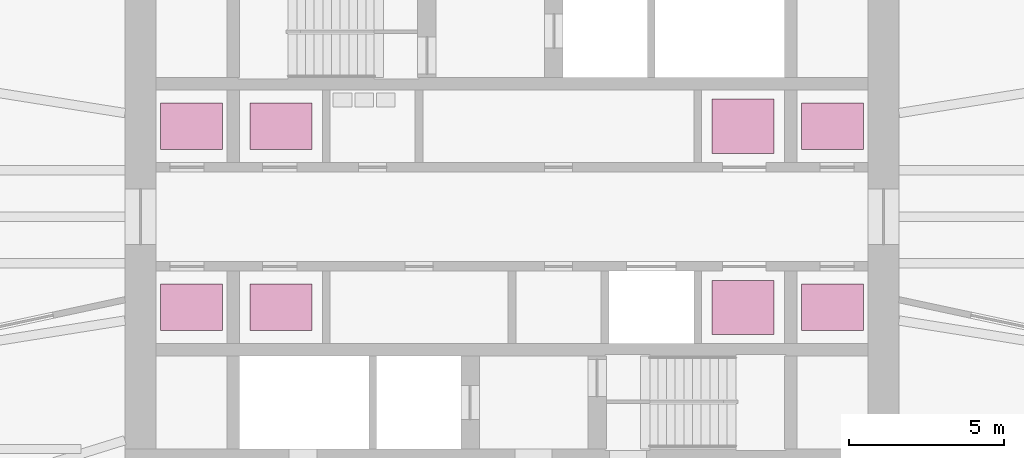
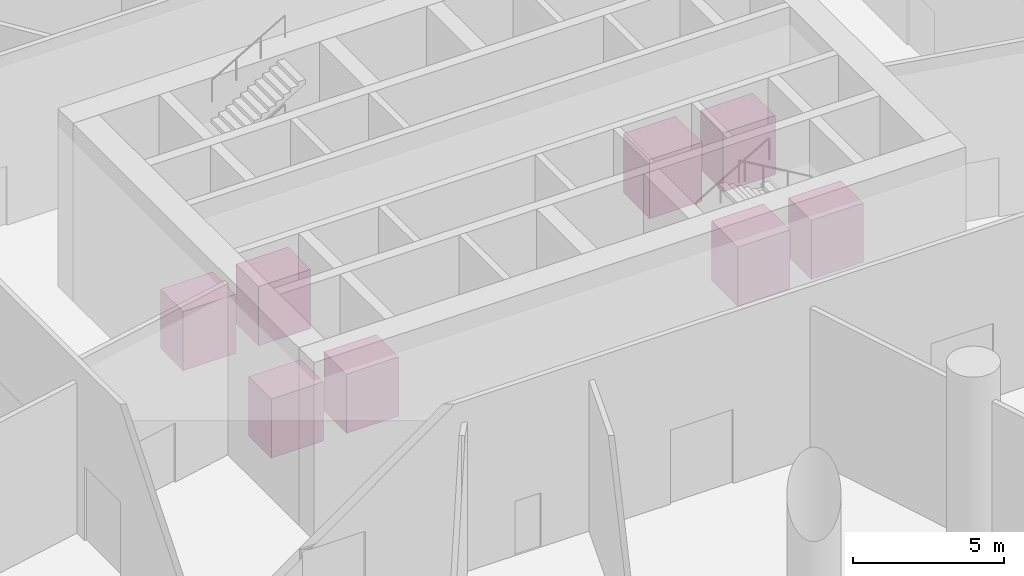
# One storey, part 21 of 22: 8 transport elements.
"""IFC4 building model written with IfcOpenShell, lengths in metres."""

from ifc_helpers import new_model, si_unit, direction, frame, origin, origin_2d, place, context, subcontext, project, spatial, rectangle, extrude, material, type_object, element, save


model = new_model("IFC4")

# Units and contexts
model_context = context("Model", 3, precision=1e-05, world=origin(), true_north=direction((0.0, 1.0)))
body_context = subcontext(model_context, "Body", "Model", "MODEL_VIEW")
ifc_project = project(units=[si_unit("LENGTHUNIT", "METRE"), si_unit("AREAUNIT", "SQUARE_METRE"), si_unit("VOLUMEUNIT", "CUBIC_METRE"), si_unit("PLANEANGLEUNIT", "RADIAN"), si_unit("MASSUNIT", "GRAM", prefix="KILO")], contexts=[model_context])

# Site, building, storey
site_placement = place(None, origin())
site = spatial("IfcSite", under=ifc_project, at=site_placement, CompositionType="ELEMENT")
building_placement = place(site_placement, origin())
building = spatial("IfcBuilding", under=site, at=building_placement, Name="Hankou Lantern Tower", CompositionType="ELEMENT")
storey_placement = place(building_placement, origin())
storey = spatial("IfcBuildingStorey", under=building, at=storey_placement, Name="L00", CompositionType="ELEMENT", Elevation=0.0)

# Transport elements
ifc_material_1 = material(Name="Steel lift car", Category="steel")
transport_element_type_1 = type_object("IfcTransportElementType", Name="LF-L LOW-RISE LIFT 1350 KG", PredefinedType="ELEVATOR", material=ifc_material_1)
for number, where, z_axis, x_axis, name in (
    (1, (-10.35009765625, 2.925048828125, 0.0), (0.0, 0.0, 1.0), (1.0, 0.0, 0.0), "Lift L1 low-rise guest lifts"),
    (2, (-7.46240234375, 2.925048828125, 0.0), (0.0, 0.0, 1.0), (1.0, 0.0, 0.0), "Lift L2 low-rise guest lifts"),
    (3, (-10.35009765625, -2.925048828125, 0.0), (0.0, 0.0, 1.0), (1.0, 0.0, 0.0), "Lift L3 low-rise guest lifts"),
    (4, (-7.46240234375, -2.925048828125, 0.0), (0.0, 0.0, 1.0), (1.0, 0.0, 0.0), "Lift L4 low-rise guest lifts"),
):
    element("IfcTransportElement", number, at=place(storey_placement, frame(where, z_axis=z_axis, x_axis=x_axis)), inside=storey, type_object=transport_element_type_1, Name=name, PredefinedType="ELEVATOR", context=body_context, shape_type="SweptSolid", body=[
        extrude(rectangle(XDim=2.0, YDim=1.5, at=origin_2d()), origin(), (0.0, 0.0, 1.0), 2.4),
    ])
ifc_material_2 = material(Name="Steel lift car", Category="steel")
transport_element_type_2 = type_object("IfcTransportElementType", Name="LF-OB OBSERVATION LIFT 1600 KG", PredefinedType="ELEVATOR", material=ifc_material_2)
for number, where, z_axis, x_axis, name in (
    (5, (7.46240234375, 2.925048828125, 0.0), (0.0, 0.0, 1.0), (1.0, 0.0, 0.0), "Lift OB1 observation express lifts"),
    (6, (7.46240234375, -2.925048828125, 0.0), (0.0, 0.0, 1.0), (1.0, 0.0, 0.0), "Lift OB2 observation express lifts"),
):
    element("IfcTransportElement", number, at=place(storey_placement, frame(where, z_axis=z_axis, x_axis=x_axis)), inside=storey, type_object=transport_element_type_2, Name=name, PredefinedType="ELEVATOR", context=body_context, shape_type="SweptSolid", body=[
        extrude(rectangle(XDim=2.0, YDim=1.75, at=origin_2d()), origin(), (0.0, 0.0, 1.0), 2.4),
    ])
ifc_material_3 = material(Name="Steel lift car", Category="steel")
transport_element_type_3 = type_object("IfcTransportElementType", Name="LF-S SHUTTLE LIFT 1350 KG", PredefinedType="ELEVATOR", material=ifc_material_3)
for number, where, z_axis, x_axis, name in (
    (7, (10.35009765625, 2.925048828125, 0.0), (0.0, 0.0, 1.0), (1.0, 0.0, 0.0), "Lift S1 sky lobby shuttle lifts"),
    (8, (10.35009765625, -2.925048828125, 0.0), (0.0, 0.0, 1.0), (1.0, 0.0, 0.0), "Lift S2 sky lobby shuttle lifts"),
):
    element("IfcTransportElement", number, at=place(storey_placement, frame(where, z_axis=z_axis, x_axis=x_axis)), inside=storey, type_object=transport_element_type_3, Name=name, PredefinedType="ELEVATOR", context=body_context, shape_type="SweptSolid", body=[
        extrude(rectangle(XDim=2.0, YDim=1.5, at=origin_2d()), origin(), (0.0, 0.0, 1.0), 2.4),
    ])

save(model, "model.ifc")
